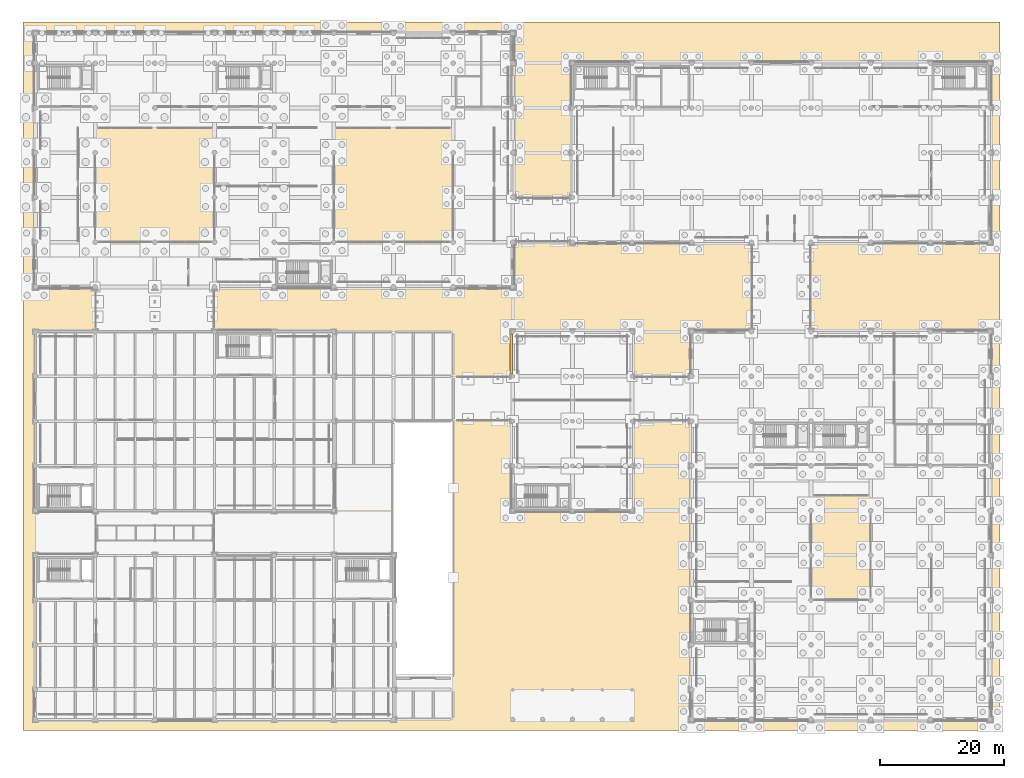
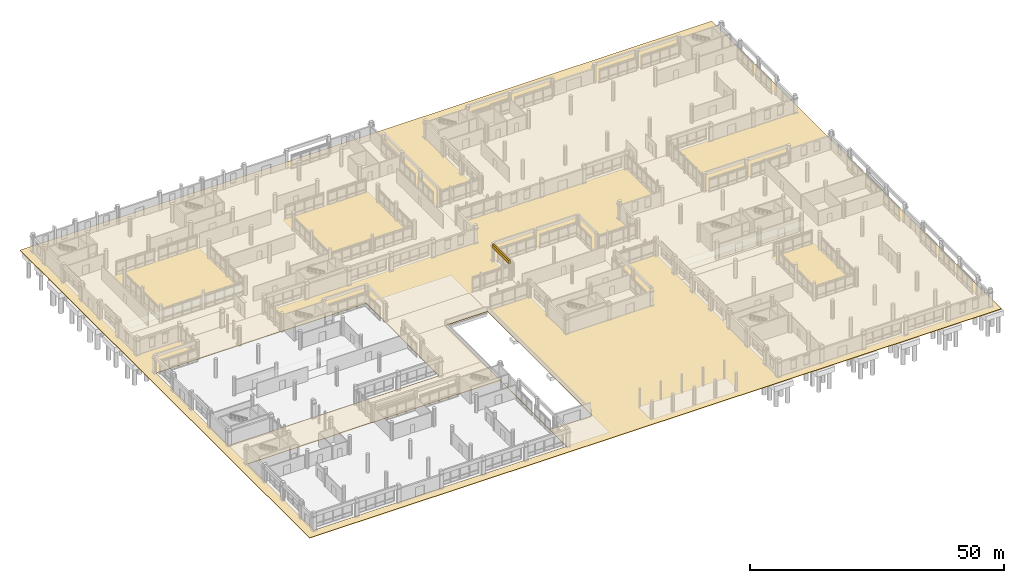
# One storey, part 179 of 196: 2 coverings.
"""IFC4 building model written with IfcOpenShell, lengths in metres."""

from ifc_helpers import new_model, si_unit, direction, frame, origin, origin_2d, place, context, subcontext, project, spatial, polyline, rectangle, outline, extrude, material, layer, layer_set, type_object, element, save


model = new_model("IFC4")

# Units and contexts
model_context = context("Model", 3, precision=1e-05, world=origin(), true_north=direction((0.0, 1.0)))
body_context = subcontext(model_context, "Body", "Model", "MODEL_VIEW")
ifc_project = project(units=[si_unit("LENGTHUNIT", "METRE"), si_unit("AREAUNIT", "SQUARE_METRE"), si_unit("VOLUMEUNIT", "CUBIC_METRE"), si_unit("PLANEANGLEUNIT", "RADIAN"), si_unit("MASSUNIT", "GRAM", prefix="KILO")], contexts=[model_context])

# Site, building, storey
site_placement = place(None, origin())
site = spatial("IfcSite", under=ifc_project, at=site_placement, CompositionType="ELEMENT")
building_placement = place(site_placement, origin())
building = spatial("IfcBuilding", under=site, at=building_placement, Name="Asteropetra Specialist Clinic", CompositionType="ELEMENT")
storey_placement = place(building_placement, origin())
storey = spatial("IfcBuildingStorey", under=building, at=storey_placement, Name="L00", CompositionType="ELEMENT", Elevation=0.0)

# Coverings
ifc_material_1 = material(Name="Pentelic marble ashlar", Category="masonry")
ifc_layer_1 = layer(ifc_material_1, 0.159912109375)
ifc_layer_set_1 = layer_set([ifc_layer_1], Name="Pentelic marble ashlar")
covering_type_1 = type_object("IfcCoveringType", Name="CRN-ENTAB-600", PredefinedType="MOLDING", material=ifc_layer_set_1)
covering_1_placement = place(storey_placement, frame((76.56005859375, 58.800048828125, 3.58984375), z_axis=(0.0, 0.0, 1.0), x_axis=(1.0, 0.0, 0.0)))
element("IfcCovering", 1, at=covering_1_placement, inside=storey, type_object=covering_type_1, Name="Stoa Classical Entablature SE-0051", PredefinedType="MOLDING", context=body_context, shape_type="SweptSolid", body=[
    extrude(rectangle(XDim=0.360107421875, YDim=6.47998046875, at=origin_2d()), origin(), (0.0, 0.0, 1.0), 0.820068359375),
])
ifc_material_2 = material(Name="Piraeus poros limestone", Category="masonry")
ifc_layer_2 = layer(ifc_material_2, 0.1201171875)
ifc_layer_set_2 = layer_set([ifc_layer_2], Name="Piraeus poros limestone")
covering_type_2 = type_object("IfcCoveringType", Name="PAV-HILLSIDE-120", PredefinedType="USERDEFINED", material=ifc_layer_set_2)
covering_2_placement = place(storey_placement, frame((0.0, 0.0, -0.139892578125)))
element("IfcCovering", 2, at=covering_2_placement, inside=storey, type_object=covering_type_2, Name="Hillside Stone Courtyard and Terrace Paving PAV-01", ObjectType="PAVING", PredefinedType="USERDEFINED", context=body_context, shape_type="SweptSolid", body=[
    extrude(outline(polyline([(-2.0, -1.800048828125), (155.199951171875, -1.800048828125), (155.199951171875, 112.199951171875), (-2.0, 112.199951171875), (-2.0, -1.800048828125)]), holes=[polyline([(0.10009765625, 0.10009765625), (57.5, 0.10009765625), (57.5, 26.300048828125), (0.10009765625, 26.300048828125), (0.10009765625, 0.10009765625)]), polyline([(0.10009765625, 33.699951171875), (47.89990234375, 33.699951171875), (47.89990234375, 62.300048828125), (0.10009765625, 62.300048828125), (0.10009765625, 33.699951171875)]), polyline([(57.60009765625, 6.800048828125), (67.199951171875, 6.800048828125), (67.199951171875, 48.0), (57.60009765625, 48.0), (57.60009765625, 6.800048828125)])]), origin(), (0.0, 0.0, 1.0), 0.119873046875),
])

save(model, "model.ifc")
